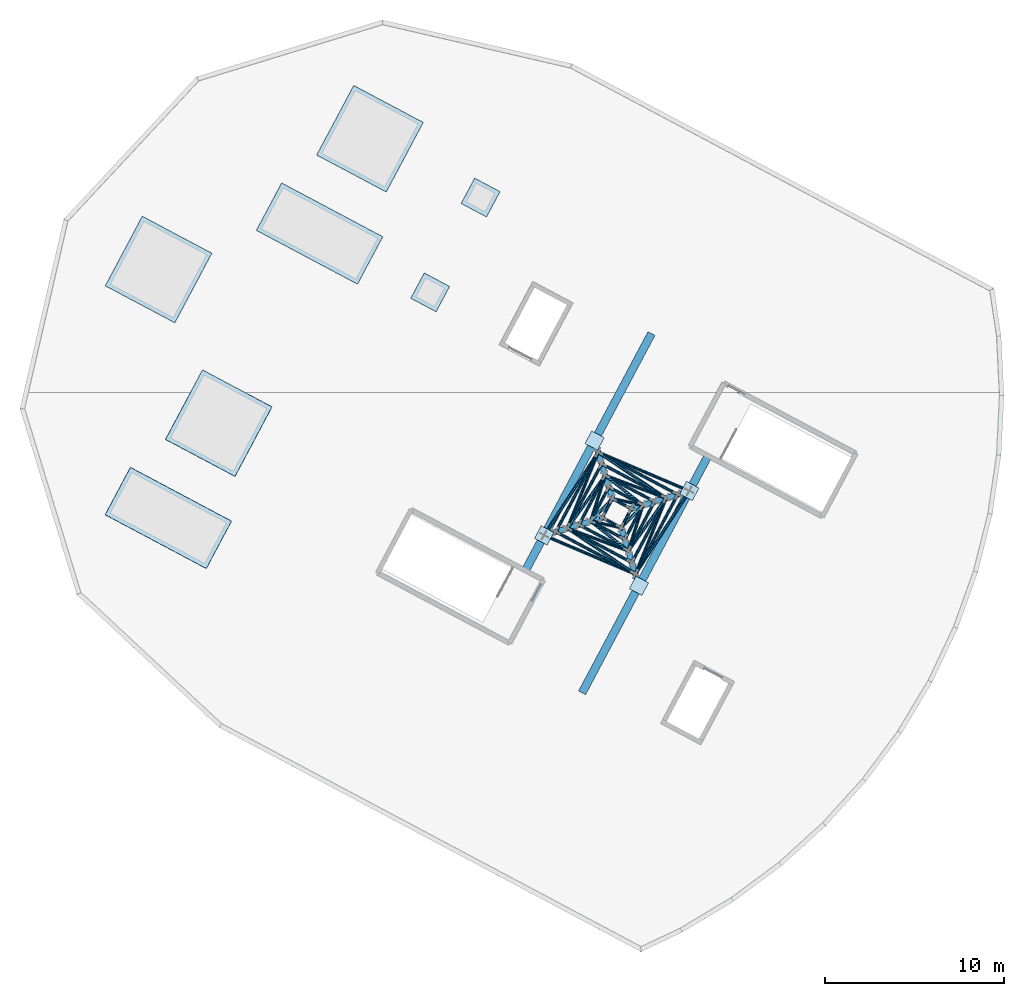
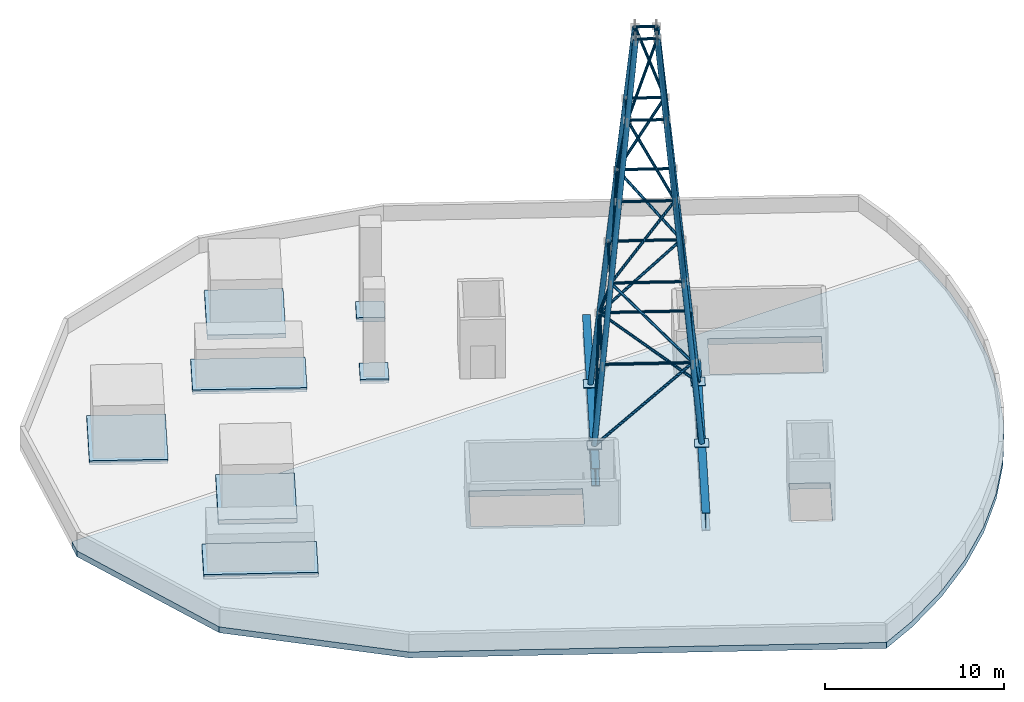
# One storey, part 1 of 5: 44 members, 8 slabs, 4 plates, 2 beams.
"""IFC4 building model written with IfcOpenShell, lengths in metres."""

from ifc_helpers import new_model, si_unit, direction, frame, origin, origin_2d, place, context, subcontext, project, spatial, polyline, rectangle, hollow_circle, i_section, outline, extrude, material, layer, layer_set, material_profile, profile_set, type_object, element, save


model = new_model("IFC4")

# Units and contexts
model_context = context("Model", 3, precision=1e-05, world=origin(), true_north=direction((0.0, 1.0)))
body_context = subcontext(model_context, "Body", "Model", "MODEL_VIEW")
ifc_project = project(units=[si_unit("LENGTHUNIT", "METRE"), si_unit("AREAUNIT", "SQUARE_METRE"), si_unit("VOLUMEUNIT", "CUBIC_METRE"), si_unit("PLANEANGLEUNIT", "RADIAN"), si_unit("MASSUNIT", "GRAM", prefix="KILO")], contexts=[model_context])

# Site, building, storey
site_placement = place(None, origin())
site = spatial("IfcSite", under=ifc_project, at=site_placement, CompositionType="ELEMENT")
building_placement = place(site_placement, origin())
building = spatial("IfcBuilding", under=site, at=building_placement, Name="Cormorant Relay Tower", CompositionType="ELEMENT")
storey_placement = place(building_placement, frame((0.0, 0.0, 357.60009765625)))
storey = spatial("IfcBuildingStorey", under=building, at=storey_placement, Name="RF", CompositionType="ELEMENT", Elevation=357.60009765625)

# Members
ifc_material_1 = material(Name="Steel ASTM A500 Grade C (Fy 345 MPa)", Category="steel")
ifc_material_profile_1 = material_profile(ifc_material_1, hollow_circle(Radius=0.084228515625, WallThickness=0.0078125, at=origin_2d()), Name="CHS 168x7.9")
ifc_profile_set_1 = profile_set([ifc_material_profile_1], Name="Steel ASTM A500 Grade C (Fy 345 MPa)")
member_type_1 = type_object("IfcMemberType", Name="MAST brace CHS 168x7.9", PredefinedType="USERDEFINED", material=ifc_profile_set_1)
member_1_placement = place(storey_placement, frame((-23.314208984375, 15.7939453125, 1.199951171875), z_axis=(-0.671055743532, 0.28527740816, 0.684325207387), x_axis=(-0.391232075949, -0.920292052964, 0.0)))
element("IfcMember", 1, at=member_1_placement, inside=storey, type_object=member_type_1, Name="Mast diagonal", ObjectType="MAST", PredefinedType="USERDEFINED", context=body_context, shape_type="SweptSolid", body=[
    extrude(hollow_circle(Radius=0.084228515625, WallThickness=0.0078125, at=origin_2d()), origin(), (0.0, 0.0, 1.0), 7.5986328125),
])
member_2_placement = place(storey_placement, frame((-23.96337890625, 15.595703125, 6.39990234375), z_axis=(-0.88295698643, 0.469453895622, 0.0), x_axis=(-0.469453895622, -0.88295698643, 0.0)))
element("IfcMember", 2, at=member_2_placement, inside=storey, type_object=member_type_1, Name="Mast ring", ObjectType="MAST", PredefinedType="USERDEFINED", context=body_context, shape_type="SweptSolid", body=[
    extrude(hollow_circle(Radius=0.084228515625, WallThickness=0.0078125, at=origin_2d()), origin(), (0.0, 0.0, 1.0), 5.039794921875),
])
member_3_placement = place(storey_placement, frame((-28.413330078125, 17.961669921875, 6.39990234375), z_axis=(-0.396829399655, -0.611742512301, -0.684322676969), x_axis=(0.838946606833, -0.544213736397, 0.0)))
element("IfcMember", 3, at=member_3_placement, inside=storey, type_object=member_type_1, Name="Mast diagonal", ObjectType="MAST", PredefinedType="USERDEFINED", context=body_context, shape_type="SweptSolid", body=[
    extrude(hollow_circle(Radius=0.084228515625, WallThickness=0.0078125, at=origin_2d()), origin(), (0.0, 0.0, 1.0), 7.5986328125),
])
member_4_placement = place(storey_placement, frame((-28.413330078125, 17.961669921875, 6.39990234375), z_axis=(-0.469491660547, -0.882936906396, 0.0), x_axis=(0.882936906396, -0.469491660547, 0.0)))
element("IfcMember", 4, at=member_4_placement, inside=storey, type_object=member_type_1, Name="Mast ring", ObjectType="MAST", PredefinedType="USERDEFINED", context=body_context, shape_type="SweptSolid", body=[
    extrude(hollow_circle(Radius=0.084228515625, WallThickness=0.0078125, at=origin_2d()), origin(), (0.0, 0.0, 1.0), 5.0400390625),
])
member_5_placement = place(storey_placement, frame((-31.4287109375, 13.313232421875, 1.199951171875), z_axis=(0.671073404013, -0.285271257444, 0.684310453013), x_axis=(0.391216211883, 0.920298796891, 0.0)))
element("IfcMember", 5, at=member_5_placement, inside=storey, type_object=member_type_1, Name="Mast diagonal", ObjectType="MAST", PredefinedType="USERDEFINED", context=body_context, shape_type="SweptSolid", body=[
    extrude(hollow_circle(Radius=0.084228515625, WallThickness=0.0078125, at=origin_2d()), origin(), (0.0, 0.0, 1.0), 7.598876953125),
])
member_6_placement = place(storey_placement, frame((-30.779541015625, 13.51171875, 6.39990234375), z_axis=(0.882947583228, -0.4694715809, 0.0), x_axis=(0.4694715809, 0.882947583228, 0.0)))
element("IfcMember", 6, at=member_6_placement, inside=storey, type_object=member_type_1, Name="Mast ring", ObjectType="MAST", PredefinedType="USERDEFINED", context=body_context, shape_type="SweptSolid", body=[
    extrude(hollow_circle(Radius=0.084228515625, WallThickness=0.0078125, at=origin_2d()), origin(), (0.0, 0.0, 1.0), 5.0400390625),
])
member_7_placement = place(storey_placement, frame((-26.329345703125, 11.1455078125, 6.39990234375), z_axis=(0.396802329324, 0.611750311768, -0.684331401804), x_axis=(-0.838966724112, 0.544182722835, 0.0)))
element("IfcMember", 7, at=member_7_placement, inside=storey, type_object=member_type_1, Name="Mast diagonal", ObjectType="MAST", PredefinedType="USERDEFINED", context=body_context, shape_type="SweptSolid", body=[
    extrude(hollow_circle(Radius=0.084228515625, WallThickness=0.0078125, at=origin_2d()), origin(), (0.0, 0.0, 1.0), 7.5986328125),
])
member_8_placement = place(storey_placement, frame((-26.329345703125, 11.1455078125, 6.39990234375), z_axis=(0.469433816676, 0.882967661787, 0.0), x_axis=(-0.882967661787, 0.469433816676, 0.0)))
element("IfcMember", 8, at=member_8_placement, inside=storey, type_object=member_type_1, Name="Mast ring", ObjectType="MAST", PredefinedType="USERDEFINED", context=body_context, shape_type="SweptSolid", body=[
    extrude(hollow_circle(Radius=0.084228515625, WallThickness=0.0078125, at=origin_2d()), origin(), (0.0, 0.0, 1.0), 5.0400390625),
])
member_9_placement = place(storey_placement, frame((-24.6123046875, 15.397216796875, 11.599853515625), z_axis=(-0.548267046232, 0.369901538546, -0.750050730149), x_axis=(-0.559287203042, -0.828973958888, 0.0)))
element("IfcMember", 9, at=member_9_placement, inside=storey, type_object=member_type_1, Name="Mast diagonal", ObjectType="MAST", PredefinedType="USERDEFINED", context=body_context, shape_type="SweptSolid", body=[
    extrude(hollow_circle(Radius=0.084228515625, WallThickness=0.0078125, at=origin_2d()), origin(), (0.0, 0.0, 1.0), 6.932861328125),
])
member_10_placement = place(storey_placement, frame((-24.6123046875, 15.397216796875, 11.599853515625), z_axis=(-0.882970023924, 0.469429373657, 0.0), x_axis=(-0.469429373657, -0.882970023924, 0.0)))
element("IfcMember", 10, at=member_10_placement, inside=storey, type_object=member_type_1, Name="Mast ring", ObjectType="MAST", PredefinedType="USERDEFINED", context=body_context, shape_type="SweptSolid", body=[
    extrude(hollow_circle(Radius=0.084228515625, WallThickness=0.0078125, at=origin_2d()), origin(), (0.0, 0.0, 1.0), 4.080078125),
])
member_11_placement = place(storey_placement, frame((-28.413330078125, 17.961669921875, 6.39990234375), z_axis=(-0.247671878776, -0.613245854827, 0.750058772365), x_axis=(0.927234015008, -0.374482418029, 0.0)))
element("IfcMember", 11, at=member_11_placement, inside=storey, type_object=member_type_1, Name="Mast diagonal", ObjectType="MAST", PredefinedType="USERDEFINED", context=body_context, shape_type="SweptSolid", body=[
    extrude(hollow_circle(Radius=0.084228515625, WallThickness=0.0078125, at=origin_2d()), origin(), (0.0, 0.0, 1.0), 6.9326171875),
])
member_12_placement = place(storey_placement, frame((-28.21484375, 17.3125, 11.599853515625), z_axis=(-0.469500828167, -0.882932031558, 0.0), x_axis=(0.882932031558, -0.469500828167, 0.0)))
element("IfcMember", 12, at=member_12_placement, inside=storey, type_object=member_type_1, Name="Mast ring", ObjectType="MAST", PredefinedType="USERDEFINED", context=body_context, shape_type="SweptSolid", body=[
    extrude(hollow_circle(Radius=0.084228515625, WallThickness=0.0078125, at=origin_2d()), origin(), (0.0, 0.0, 1.0), 4.079833984375),
])
member_13_placement = place(storey_placement, frame((-30.13037109375, 13.710205078125, 11.599853515625), z_axis=(0.548259904198, -0.369931934845, -0.750040959568), x_axis=(0.559323791368, 0.828949272519, 0.0)))
element("IfcMember", 13, at=member_13_placement, inside=storey, type_object=member_type_1, Name="Mast diagonal", ObjectType="MAST", PredefinedType="USERDEFINED", context=body_context, shape_type="SweptSolid", body=[
    extrude(hollow_circle(Radius=0.084228515625, WallThickness=0.0078125, at=origin_2d()), origin(), (0.0, 0.0, 1.0), 6.932861328125),
])
member_14_placement = place(storey_placement, frame((-30.13037109375, 13.710205078125, 11.599853515625), z_axis=(0.882945220998, -0.46947602358, 0.0), x_axis=(0.46947602358, 0.882945220998, 0.0)))
element("IfcMember", 14, at=member_14_placement, inside=storey, type_object=member_type_1, Name="Mast ring", ObjectType="MAST", PredefinedType="USERDEFINED", context=body_context, shape_type="SweptSolid", body=[
    extrude(hollow_circle(Radius=0.084228515625, WallThickness=0.0078125, at=origin_2d()), origin(), (0.0, 0.0, 1.0), 4.080078125),
])
member_15_placement = place(storey_placement, frame((-26.329345703125, 11.1455078125, 6.39990234375), z_axis=(0.247666530106, 0.613267826218, 0.750042574253), x_axis=(-0.927241481584, 0.374463929944, 0.0)))
element("IfcMember", 15, at=member_15_placement, inside=storey, type_object=member_type_1, Name="Mast diagonal", ObjectType="MAST", PredefinedType="USERDEFINED", context=body_context, shape_type="SweptSolid", body=[
    extrude(hollow_circle(Radius=0.084228515625, WallThickness=0.0078125, at=origin_2d()), origin(), (0.0, 0.0, 1.0), 6.932861328125),
])
member_16_placement = place(storey_placement, frame((-26.52783203125, 11.794677734375, 11.599853515625), z_axis=(0.46947602358, 0.882945220998, 0.0), x_axis=(-0.882945220998, 0.46947602358, 0.0)))
element("IfcMember", 16, at=member_16_placement, inside=storey, type_object=member_type_1, Name="Mast ring", ObjectType="MAST", PredefinedType="USERDEFINED", context=body_context, shape_type="SweptSolid", body=[
    extrude(hollow_circle(Radius=0.084228515625, WallThickness=0.0078125, at=origin_2d()), origin(), (0.0, 0.0, 1.0), 4.080078125),
])
member_17_placement = place(storey_placement, frame((-24.6123046875, 15.397216796875, 11.599853515625), z_axis=(-0.536686497627, 0.199616737911, 0.819829714764), x_axis=(-0.348610123823, -0.937267828088, 0.0)))
element("IfcMember", 17, at=member_17_placement, inside=storey, type_object=member_type_1, Name="Mast diagonal", ObjectType="MAST", PredefinedType="USERDEFINED", context=body_context, shape_type="SweptSolid", body=[
    extrude(hollow_circle(Radius=0.084228515625, WallThickness=0.0078125, at=origin_2d()), origin(), (0.0, 0.0, 1.0), 6.3427734375),
])
member_18_placement = place(storey_placement, frame((-25.26171875, 15.198486328125, 16.7998046875), z_axis=(-0.882924156465, 0.469515637578, 0.0), x_axis=(-0.469515637578, -0.882924156465, 0.0)))
element("IfcMember", 18, at=member_18_placement, inside=storey, type_object=member_type_1, Name="Mast ring", ObjectType="MAST", PredefinedType="USERDEFINED", context=body_context, shape_type="SweptSolid", body=[
    extrude(hollow_circle(Radius=0.084228515625, WallThickness=0.0078125, at=origin_2d()), origin(), (0.0, 0.0, 1.0), 3.119873046875),
])
member_19_placement = place(storey_placement, frame((-28.016357421875, 16.663330078125, 16.7998046875), z_axis=(-0.333300151147, -0.465596330786, -0.819835999456), x_axis=(0.813128933478, -0.58208361731, 0.0)))
element("IfcMember", 19, at=member_19_placement, inside=storey, type_object=member_type_1, Name="Mast diagonal", ObjectType="MAST", PredefinedType="USERDEFINED", context=body_context, shape_type="SweptSolid", body=[
    extrude(hollow_circle(Radius=0.084228515625, WallThickness=0.0078125, at=origin_2d()), origin(), (0.0, 0.0, 1.0), 6.3427734375),
])
member_20_placement = place(storey_placement, frame((-28.016357421875, 16.663330078125, 16.7998046875), z_axis=(-0.469515637578, -0.882924156465, 0.0), x_axis=(0.882924156465, -0.469515637578, 0.0)))
element("IfcMember", 20, at=member_20_placement, inside=storey, type_object=member_type_1, Name="Mast ring", ObjectType="MAST", PredefinedType="USERDEFINED", context=body_context, shape_type="SweptSolid", body=[
    extrude(hollow_circle(Radius=0.084228515625, WallThickness=0.0078125, at=origin_2d()), origin(), (0.0, 0.0, 1.0), 3.119873046875),
])
member_21_placement = place(storey_placement, frame((-30.13037109375, 13.710205078125, 11.599853515625), z_axis=(0.536682373624, -0.199653695187, 0.819823415035), x_axis=(0.348669173787, 0.937245862755, 0.0)))
element("IfcMember", 21, at=member_21_placement, inside=storey, type_object=member_type_1, Name="Mast diagonal", ObjectType="MAST", PredefinedType="USERDEFINED", context=body_context, shape_type="SweptSolid", body=[
    extrude(hollow_circle(Radius=0.084228515625, WallThickness=0.0078125, at=origin_2d()), origin(), (0.0, 0.0, 1.0), 6.3427734375),
])
member_22_placement = place(storey_placement, frame((-29.481201171875, 13.90869140625, 16.7998046875), z_axis=(0.882941405068, -0.469483200143, 0.0), x_axis=(0.469483200143, 0.882941405068, 0.0)))
element("IfcMember", 22, at=member_22_placement, inside=storey, type_object=member_type_1, Name="Mast ring", ObjectType="MAST", PredefinedType="USERDEFINED", context=body_context, shape_type="SweptSolid", body=[
    extrude(hollow_circle(Radius=0.084228515625, WallThickness=0.0078125, at=origin_2d()), origin(), (0.0, 0.0, 1.0), 3.1201171875),
])
member_23_placement = place(storey_placement, frame((-26.726318359375, 12.44384765625, 16.7998046875), z_axis=(0.333294177782, 0.465626477494, -0.819821306452), x_axis=(-0.813151708184, 0.582051801369, 0.0)))
element("IfcMember", 23, at=member_23_placement, inside=storey, type_object=member_type_1, Name="Mast diagonal", ObjectType="MAST", PredefinedType="USERDEFINED", context=body_context, shape_type="SweptSolid", body=[
    extrude(hollow_circle(Radius=0.084228515625, WallThickness=0.0078125, at=origin_2d()), origin(), (0.0, 0.0, 1.0), 6.3427734375),
])
member_24_placement = place(storey_placement, frame((-26.726318359375, 12.44384765625, 16.7998046875), z_axis=(0.469454632, 0.882956594909, 0.0), x_axis=(-0.882956594909, 0.469454632, 0.0)))
element("IfcMember", 24, at=member_24_placement, inside=storey, type_object=member_type_1, Name="Mast ring", ObjectType="MAST", PredefinedType="USERDEFINED", context=body_context, shape_type="SweptSolid", body=[
    extrude(hollow_circle(Radius=0.084228515625, WallThickness=0.0078125, at=origin_2d()), origin(), (0.0, 0.0, 1.0), 3.119873046875),
])
member_25_placement = place(storey_placement, frame((-25.910888671875, 15.000244140625, 22.0), z_axis=(-0.359812552973, 0.284211863503, -0.888683601383), x_axis=(-0.619844887901, -0.784724356028, 0.0)))
element("IfcMember", 25, at=member_25_placement, inside=storey, type_object=member_type_1, Name="Mast diagonal", ObjectType="MAST", PredefinedType="USERDEFINED", context=body_context, shape_type="SweptSolid", body=[
    extrude(hollow_circle(Radius=0.084228515625, WallThickness=0.0078125, at=origin_2d()), origin(), (0.0, 0.0, 1.0), 5.8515625),
])
member_26_placement = place(storey_placement, frame((-25.910888671875, 15.000244140625, 22.0), z_axis=(-0.882956138101, 0.46945549117, 0.0), x_axis=(-0.46945549117, -0.882956138101, 0.0)))
element("IfcMember", 26, at=member_26_placement, inside=storey, type_object=member_type_1, Name="Mast ring", ObjectType="MAST", PredefinedType="USERDEFINED", context=body_context, shape_type="SweptSolid", body=[
    extrude(hollow_circle(Radius=0.084228515625, WallThickness=0.0078125, at=origin_2d()), origin(), (0.0, 0.0, 1.0), 2.15966796875),
])
member_27_placement = place(storey_placement, frame((-28.016357421875, 16.663330078125, 16.7998046875), z_axis=(-0.139393202617, -0.436829341934, 0.888678603934), x_axis=(0.952672107557, -0.303999762306, 0.0)))
element("IfcMember", 27, at=member_27_placement, inside=storey, type_object=member_type_1, Name="Mast diagonal", ObjectType="MAST", PredefinedType="USERDEFINED", context=body_context, shape_type="SweptSolid", body=[
    extrude(hollow_circle(Radius=0.084228515625, WallThickness=0.0078125, at=origin_2d()), origin(), (0.0, 0.0, 1.0), 5.8515625),
])
member_28_placement = place(storey_placement, frame((-27.81787109375, 16.01416015625, 22.0), z_axis=(-0.469543611514, -0.8829092801, 0.0), x_axis=(0.8829092801, -0.469543611514, 0.0)))
element("IfcMember", 28, at=member_28_placement, inside=storey, type_object=member_type_1, Name="Mast ring", ObjectType="MAST", PredefinedType="USERDEFINED", context=body_context, shape_type="SweptSolid", body=[
    extrude(hollow_circle(Radius=0.084228515625, WallThickness=0.0078125, at=origin_2d()), origin(), (0.0, 0.0, 1.0), 2.159912109375),
])
member_29_placement = place(storey_placement, frame((-28.83203125, 14.107177734375, 22.0), z_axis=(0.359844605637, -0.284245947618, -0.888659721748), x_axis=(0.619856659461, 0.784715057662, 0.0)))
element("IfcMember", 29, at=member_29_placement, inside=storey, type_object=member_type_1, Name="Mast diagonal", ObjectType="MAST", PredefinedType="USERDEFINED", context=body_context, shape_type="SweptSolid", body=[
    extrude(hollow_circle(Radius=0.084228515625, WallThickness=0.0078125, at=origin_2d()), origin(), (0.0, 0.0, 1.0), 5.851806640625),
])
member_30_placement = place(storey_placement, frame((-28.83203125, 14.107177734375, 22.0), z_axis=(0.882934197132, -0.469496755618, 0.0), x_axis=(0.469496755618, 0.882934197132, 0.0)))
element("IfcMember", 30, at=member_30_placement, inside=storey, type_object=member_type_1, Name="Mast ring", ObjectType="MAST", PredefinedType="USERDEFINED", context=body_context, shape_type="SweptSolid", body=[
    extrude(hollow_circle(Radius=0.084228515625, WallThickness=0.0078125, at=origin_2d()), origin(), (0.0, 0.0, 1.0), 2.16015625),
])
member_31_placement = place(storey_placement, frame((-26.726318359375, 12.44384765625, 16.7998046875), z_axis=(0.139349751106, 0.436865641866, 0.888667574419), x_axis=(-0.95270686025, 0.303890833085, 0.0)))
element("IfcMember", 31, at=member_31_placement, inside=storey, type_object=member_type_1, Name="Mast diagonal", ObjectType="MAST", PredefinedType="USERDEFINED", context=body_context, shape_type="SweptSolid", body=[
    extrude(hollow_circle(Radius=0.084228515625, WallThickness=0.0078125, at=origin_2d()), origin(), (0.0, 0.0, 1.0), 5.8515625),
])
member_32_placement = place(storey_placement, frame((-26.9248046875, 13.093017578125, 22.0), z_axis=(0.469408639096, 0.882981047102, 0.0), x_axis=(-0.882981047102, 0.469408639096, 0.0)))
element("IfcMember", 32, at=member_32_placement, inside=storey, type_object=member_type_1, Name="Mast ring", ObjectType="MAST", PredefinedType="USERDEFINED", context=body_context, shape_type="SweptSolid", body=[
    extrude(hollow_circle(Radius=0.084228515625, WallThickness=0.0078125, at=origin_2d()), origin(), (0.0, 0.0, 1.0), 2.159912109375),
])
member_33_placement = place(storey_placement, frame((-25.910888671875, 15.000244140625, 22.0), z_axis=(-0.311452727176, 0.066491908317, 0.947932500162), x_axis=(-0.208784610356, -0.977961648777, 0.0)))
element("IfcMember", 33, at=member_33_placement, inside=storey, type_object=member_type_1, Name="Mast diagonal", ObjectType="MAST", PredefinedType="USERDEFINED", context=body_context, shape_type="SweptSolid", body=[
    extrude(hollow_circle(Radius=0.084228515625, WallThickness=0.0078125, at=origin_2d()), origin(), (0.0, 0.0, 1.0), 5.485595703125),
])
member_34_placement = place(storey_placement, frame((-26.559814453125, 14.8017578125, 27.199951171875), z_axis=(-0.88299978602, 0.46937338856, 0.0), x_axis=(-0.46937338856, -0.88299978602, 0.0)))
element("IfcMember", 34, at=member_34_placement, inside=storey, type_object=member_type_1, Name="Mast ring", ObjectType="MAST", PredefinedType="USERDEFINED", context=body_context, shape_type="SweptSolid", body=[
    extrude(hollow_circle(Radius=0.084228515625, WallThickness=0.0078125, at=origin_2d()), origin(), (0.0, 0.0, 1.0), 1.199951171875),
])
member_35_placement = place(storey_placement, frame((-27.619384765625, 15.364990234375, 27.199951171875), z_axis=(-0.221058894042, -0.229292414356, -0.947922968433), x_axis=(0.719914113042, -0.694063159837, 0.0)))
element("IfcMember", 35, at=member_35_placement, inside=storey, type_object=member_type_1, Name="Mast diagonal", ObjectType="MAST", PredefinedType="USERDEFINED", context=body_context, shape_type="SweptSolid", body=[
    extrude(hollow_circle(Radius=0.084228515625, WallThickness=0.0078125, at=origin_2d()), origin(), (0.0, 0.0, 1.0), 5.485595703125),
])
member_36_placement = place(storey_placement, frame((-27.619384765625, 15.364990234375, 27.199951171875), z_axis=(-0.469531998299, -0.882915456073, 0.0), x_axis=(0.882915456073, -0.469531998299, 0.0)))
element("IfcMember", 36, at=member_36_placement, inside=storey, type_object=member_type_1, Name="Mast ring", ObjectType="MAST", PredefinedType="USERDEFINED", context=body_context, shape_type="SweptSolid", body=[
    extrude(hollow_circle(Radius=0.084228515625, WallThickness=0.0078125, at=origin_2d()), origin(), (0.0, 0.0, 1.0), 1.2001953125),
])
member_37_placement = place(storey_placement, frame((-28.83203125, 14.107177734375, 22.0), z_axis=(0.311491993025, -0.066535294981, 0.947916553713), x_axis=(0.208889714301, 0.977939204276, 0.0)))
element("IfcMember", 37, at=member_37_placement, inside=storey, type_object=member_type_1, Name="Mast diagonal", ObjectType="MAST", PredefinedType="USERDEFINED", context=body_context, shape_type="SweptSolid", body=[
    extrude(hollow_circle(Radius=0.084228515625, WallThickness=0.0078125, at=origin_2d()), origin(), (0.0, 0.0, 1.0), 5.485595703125),
])
member_38_placement = place(storey_placement, frame((-28.182861328125, 14.305419921875, 27.199951171875), z_axis=(0.88299978602, -0.46937338856, 0.0), x_axis=(0.46937338856, 0.88299978602, 0.0)))
element("IfcMember", 38, at=member_38_placement, inside=storey, type_object=member_type_1, Name="Mast ring", ObjectType="MAST", PredefinedType="USERDEFINED", context=body_context, shape_type="SweptSolid", body=[
    extrude(hollow_circle(Radius=0.084228515625, WallThickness=0.0078125, at=origin_2d()), origin(), (0.0, 0.0, 1.0), 1.199951171875),
])
member_39_placement = place(storey_placement, frame((-27.123291015625, 13.7421875, 27.199951171875), z_axis=(0.221014307102, 0.229336835379, -0.947922619202), x_axis=(-0.720051232843, 0.693920904773, 0.0)))
element("IfcMember", 39, at=member_39_placement, inside=storey, type_object=member_type_1, Name="Mast diagonal", ObjectType="MAST", PredefinedType="USERDEFINED", context=body_context, shape_type="SweptSolid", body=[
    extrude(hollow_circle(Radius=0.084228515625, WallThickness=0.0078125, at=origin_2d()), origin(), (0.0, 0.0, 1.0), 5.485595703125),
])
member_40_placement = place(storey_placement, frame((-27.123291015625, 13.7421875, 27.199951171875), z_axis=(0.469531998299, 0.882915456073, 0.0), x_axis=(-0.882915456073, 0.469531998299, 0.0)))
element("IfcMember", 40, at=member_40_placement, inside=storey, type_object=member_type_1, Name="Mast ring", ObjectType="MAST", PredefinedType="USERDEFINED", context=body_context, shape_type="SweptSolid", body=[
    extrude(hollow_circle(Radius=0.084228515625, WallThickness=0.0078125, at=origin_2d()), origin(), (0.0, 0.0, 1.0), 1.2001953125),
])
ifc_material_2 = material(Name="Steel ASTM A500 Grade C (Fy 345 MPa)", Category="steel")
ifc_material_profile_2 = material_profile(ifc_material_2, hollow_circle(Radius=0.161865234375, WallThickness=0.0126953125, at=origin_2d()), Name="CHS 324x12.7")
ifc_profile_set_2 = profile_set([ifc_material_profile_2], Name="Steel ASTM A500 Grade C (Fy 345 MPa)")
member_type_2 = type_object("IfcMemberType", Name="MAST leg CHS 324x12.7", PredefinedType="USERDEFINED", material=ifc_profile_set_2)
for number, where, z_axis, x_axis, name in (
    (41, (-23.314208984375, 15.7939453125, 1.25), (-0.124015601337, -0.037911795083, 0.99155576062), (0.292346463702, -0.956312472553, 0.0), "Mast leg"),
    (42, (-28.61181640625, 18.61083984375, 1.25), (0.037921066487, -0.124024742668, 0.991554262722), (0.956298509424, 0.29239213545, 0.0), "Mast leg"),
    (43, (-31.4287109375, 13.313232421875, 1.25), (0.124024786536, 0.037911751221, 0.991554613445), (-0.292326353644, 0.956318620003, 0.0), "Mast leg"),
    (44, (-26.130859375, 10.496337890625, 1.25), (-0.037921066487, 0.124024742668, 0.991554262722), (-0.956298509424, -0.29239213545, 0.0), "Mast leg"),
):
    element("IfcMember", number, at=place(storey_placement, frame(where, z_axis=z_axis, x_axis=x_axis)), inside=storey, type_object=member_type_2, Name=name, ObjectType="MAST", PredefinedType="USERDEFINED", context=body_context, shape_type="SweptSolid", body=[
        extrude(hollow_circle(Radius=0.161865234375, WallThickness=0.0126953125, at=origin_2d()), origin(), (0.0, 0.0, 1.0), 26.1708984375),
    ])

# Beams
ifc_material_3 = material(Name="Steel ASTM A572 Grade 50 (Fy 345 MPa)", Category="steel")
ifc_material_profile_3 = material_profile(ifc_material_3, i_section(OverallWidth=0.449951171875, OverallDepth=1.199951171875, WebThickness=0.02001953125, FlangeThickness=0.034912109375, at=origin_2d()), Name="PG1200x450")
ifc_profile_set_3 = profile_set([ifc_material_profile_3], Name="Steel ASTM A572 Grade 50 (Fy 345 MPa)")
beam_type = type_object("IfcBeamType", Name="Mast base girder PG1200x450", PredefinedType="BEAM", material=ifc_profile_set_3)
for number, where, z_axis, x_axis, name in (
    (45, (-22.26953125, 17.758544921875, 0.599853515625), (-0.46946936446, -0.882948761726, 0.0), (0.882948761726, -0.46946936446, 0.0), "Mast base girder"),
    (46, (-25.43115234375, 24.5927734375, 0.599853515625), (-0.46946936446, -0.882948761726, 0.0), (0.882948761726, -0.46946936446, 0.0), "Mast base girder"),
):
    element("IfcBeam", number, at=place(storey_placement, frame(where, z_axis=z_axis, x_axis=x_axis)), inside=storey, type_object=beam_type, Name=name, PredefinedType="BEAM", context=body_context, shape_type="SweptSolid", body=[
        extrude(i_section(OverallWidth=0.449951171875, OverallDepth=1.199951171875, WebThickness=0.02001953125, FlangeThickness=0.034912109375, at=origin_2d()), origin(), (0.0, 0.0, 1.0), 15.0),
    ])

# Slabs
ifc_material_4 = material(Name="Concrete 40 MPa", Category="concrete")
ifc_layer_1 = layer(ifc_material_4, 0.400146484375)
ifc_layer_set_1 = layer_set([ifc_layer_1], Name="Crown terrace roof slab 400")
slab_type_1 = type_object("IfcSlabType", Name="Crown terrace roof slab 400", PredefinedType="ROOF", material=ifc_layer_set_1)
slab_1_placement = place(storey_placement, frame((0.0, 0.0, -0.400390625)))
element("IfcSlab", 47, at=slab_1_placement, inside=storey, type_object=slab_type_1, Name="Roof RF", PredefinedType="ROOF", context=body_context, shape_type="SweptSolid", body=[
    extrude(outline(polyline([(-26.014892578125, -9.95166015625), (-23.705078125, -8.859130859375), (-20.84326171875, -7.143798828125), (-18.163330078125, -5.156005859375), (-15.69091796875, -2.915283203125), (-13.4501953125, -0.443115234375), (-11.462646484375, 2.23681640625), (-9.747314453125, 5.0986328125), (-8.32080078125, 8.114990234375), (-7.19677734375, 11.256591796875), (-6.385986328125, 14.4931640625), (-5.896484375, 17.793701171875), (-5.732666015625, 21.126220703125), (-5.7412109375, 21.300048828125), (-60.510498046875, 21.300048828125), (-60.7197265625, 20.393310546875), (-57.541748046875, 9.997802734375), (-49.591552734375, 2.584228515625), (-26.014892578125, -9.95166015625)]), holes=[polyline([(-20.96533203125, 5.088134765625), (-22.99609375, 6.16796875), (-24.756591796875, 2.85693359375), (-22.725830078125, 1.777099609375), (-20.96533203125, 5.088134765625)]), polyline([(-34.860595703125, 8.455810546875), (-33.240966796875, 11.502197265625), (-38.847900390625, 14.483154296875), (-40.46728515625, 11.43701171875), (-34.860595703125, 8.455810546875)]), polyline([(-19.882080078125, 20.6513671875), (-21.501708984375, 17.605224609375), (-15.89501953125, 14.6240234375), (-14.275390625, 17.670166015625), (-19.882080078125, 20.6513671875)])]), origin(), (0.0, 0.0, 1.0), 0.400390625),
])
ifc_material_5 = material(Name="Concrete 35 MPa", Category="concrete")
ifc_layer_2 = layer(ifc_material_5, 0.300048828125)
ifc_layer_set_2 = layer_set([ifc_layer_2], Name="Equipment plinth 300")
slab_type_2 = type_object("IfcSlabType", Name="Equipment plinth 300", PredefinedType="BASESLAB", material=ifc_layer_set_2)
slab_2_placement = place(storey_placement, origin())
element("IfcSlab", 48, at=slab_2_placement, inside=storey, type_object=slab_type_2, Name="Equipment plinth", PredefinedType="BASESLAB", context=body_context, shape_type="SweptSolid", body=[
    extrude(outline(polyline([(-40.2529296875, 32.501953125), (-38.187255859375, 36.386962890625), (-42.072265625, 38.45263671875), (-44.137939453125, 34.567626953125), (-40.2529296875, 32.501953125)])), origin(), (0.0, 0.0, 1.0), 0.2998046875),
])
slab_3_placement = place(storey_placement, origin())
element("IfcSlab", 49, at=slab_3_placement, inside=storey, type_object=slab_type_2, Name="Equipment plinth", PredefinedType="BASESLAB", context=body_context, shape_type="SweptSolid", body=[
    extrude(outline(polyline([(-48.703369140625, 16.60888671875), (-46.6376953125, 20.493896484375), (-50.522705078125, 22.5595703125), (-52.58837890625, 18.6748046875), (-48.703369140625, 16.60888671875)])), origin(), (0.0, 0.0, 1.0), 0.2998046875),
])
slab_4_placement = place(storey_placement, origin())
element("IfcSlab", 50, at=slab_4_placement, inside=storey, type_object=slab_type_2, Name="Equipment plinth", PredefinedType="BASESLAB", context=body_context, shape_type="SweptSolid", body=[
    extrude(outline(polyline([(-52.067138671875, 25.193115234375), (-50.00146484375, 29.077880859375), (-53.886474609375, 31.1435546875), (-55.9521484375, 27.258544921875), (-52.067138671875, 25.193115234375)])), origin(), (0.0, 0.0, 1.0), 0.2998046875),
])
slab_5_placement = place(storey_placement, origin())
element("IfcSlab", 51, at=slab_5_placement, inside=storey, type_object=slab_type_2, Name="Equipment plinth", PredefinedType="BASESLAB", context=body_context, shape_type="SweptSolid", body=[
    extrude(outline(polyline([(-41.858154296875, 27.352783203125), (-40.44970703125, 30.001708984375), (-46.1005859375, 33.00634765625), (-47.509033203125, 30.357666015625), (-41.858154296875, 27.352783203125)])), origin(), (0.0, 0.0, 1.0), 0.2998046875),
])
slab_6_placement = place(storey_placement, origin())
element("IfcSlab", 52, at=slab_6_placement, inside=storey, type_object=slab_type_2, Name="Equipment plinth", PredefinedType="BASESLAB", context=body_context, shape_type="SweptSolid", body=[
    extrude(outline(polyline([(-50.30859375, 11.4599609375), (-48.900146484375, 14.108642578125), (-54.551025390625, 17.11328125), (-55.95947265625, 14.464599609375), (-50.30859375, 11.4599609375)])), origin(), (0.0, 0.0, 1.0), 0.2998046875),
])
slab_7_placement = place(storey_placement, origin())
element("IfcSlab", 53, at=slab_7_placement, inside=storey, type_object=slab_type_2, Name="Equipment plinth", PredefinedType="BASESLAB", context=body_context, shape_type="SweptSolid", body=[
    extrude(outline(polyline([(-34.651123046875, 31.109130859375), (-33.89990234375, 32.521728515625), (-35.312744140625, 33.27294921875), (-36.06396484375, 31.8603515625), (-34.651123046875, 31.109130859375)])), origin(), (0.0, 0.0, 1.0), 0.2998046875),
])
slab_8_placement = place(storey_placement, origin())
element("IfcSlab", 54, at=slab_8_placement, inside=storey, type_object=slab_type_2, Name="Equipment plinth", PredefinedType="BASESLAB", context=body_context, shape_type="SweptSolid", body=[
    extrude(outline(polyline([(-37.468017578125, 25.811279296875), (-36.716796875, 27.22412109375), (-38.12939453125, 27.975341796875), (-38.880615234375, 26.5625), (-37.468017578125, 25.811279296875)])), origin(), (0.0, 0.0, 1.0), 0.2998046875),
])

# Plates
ifc_material_6 = material(Name="Steel ASTM A572 Grade 50 (Fy 345 MPa)", Category="steel")
ifc_layer_3 = layer(ifc_material_6, 0.050048828125)
ifc_layer_set_3 = layer_set([ifc_layer_3], Name="MAST base plate 800")
plate_type = type_object("IfcPlateType", Name="MAST base plate 800", PredefinedType="SHEET", material=ifc_layer_set_3)
for number, where, z_axis, x_axis, name in (
    (55, (-23.314208984375, 15.7939453125, 1.19970703125), (0.0, 0.0, 1.0), (-0.882947592859, 0.469471562786, 0.0), "Mast base plate"),
    (56, (-28.61181640625, 18.61083984375, 1.19970703125), (0.0, 0.0, 1.0), (-0.882947592859, 0.469471562786, 0.0), "Mast base plate"),
    (57, (-31.4287109375, 13.313232421875, 1.19970703125), (0.0, 0.0, 1.0), (-0.882947592859, 0.469471562786, 0.0), "Mast base plate"),
    (58, (-26.130859375, 10.496337890625, 1.19970703125), (0.0, 0.0, 1.0), (-0.882947592859, 0.469471562786, 0.0), "Mast base plate"),
):
    element("IfcPlate", number, at=place(storey_placement, frame(where, z_axis=z_axis, x_axis=x_axis)), inside=storey, type_object=plate_type, Name=name, PredefinedType="SHEET", context=body_context, shape_type="SweptSolid", body=[
        extrude(rectangle(XDim=0.800048828125, YDim=0.800048828125, at=origin_2d()), origin(), (0.0, 0.0, 1.0), 0.050048828125),
    ])

save(model, "model.ifc")
